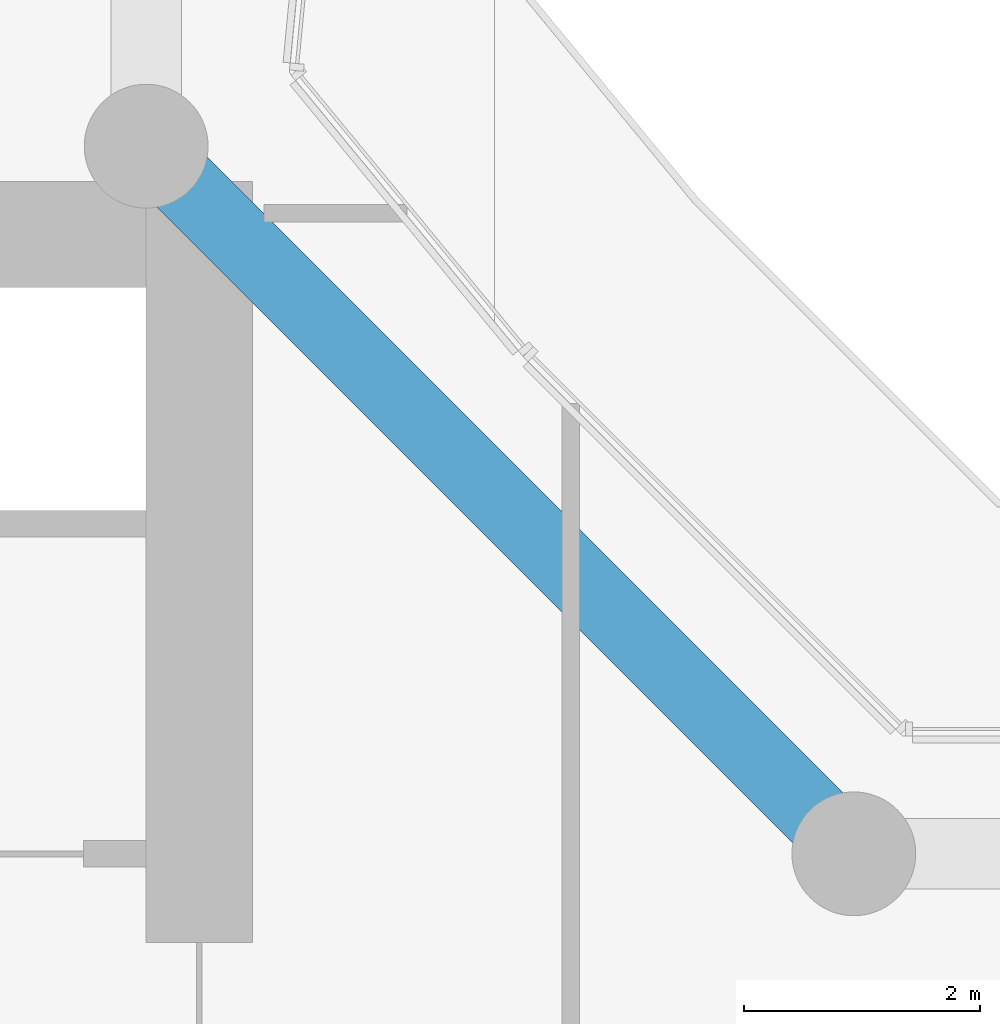
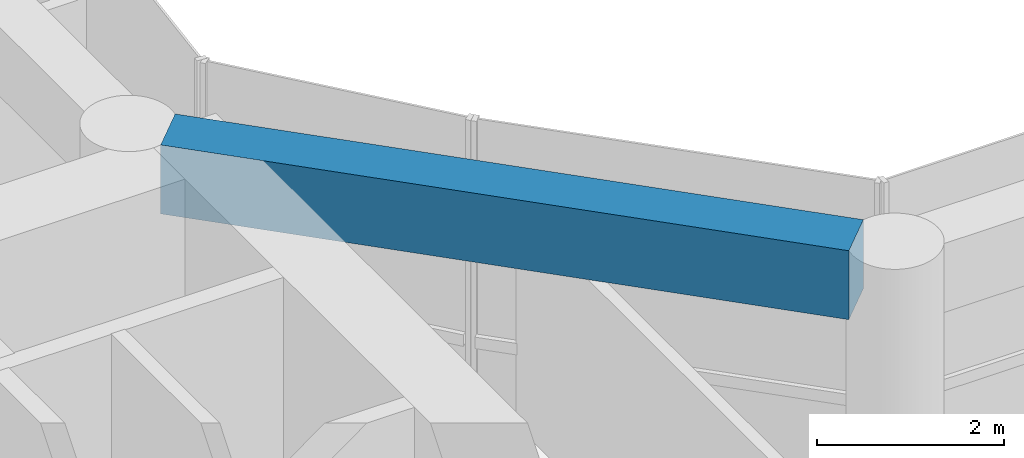
# One storey, part 5 of 31: 1 beam.
"""IFC4 building model written with IfcOpenShell, lengths in metres."""

from ifc_helpers import new_model, si_unit, direction, frame, origin, origin_2d, place, context, subcontext, project, spatial, rectangle, extrude, material, material_profile, profile_set, type_object, element, save


model = new_model("IFC4")

# Units and contexts
model_context = context("Model", 3, precision=1e-05, world=origin(), true_north=direction((0.0, 1.0)))
body_context = subcontext(model_context, "Body", "Model", "MODEL_VIEW")
ifc_project = project(units=[si_unit("LENGTHUNIT", "METRE"), si_unit("AREAUNIT", "SQUARE_METRE"), si_unit("VOLUMEUNIT", "CUBIC_METRE"), si_unit("PLANEANGLEUNIT", "RADIAN"), si_unit("MASSUNIT", "GRAM", prefix="KILO")], contexts=[model_context])

# Site, building, storey
site_placement = place(None, origin())
site = spatial("IfcSite", under=ifc_project, at=site_placement, CompositionType="ELEMENT")
building_placement = place(site_placement, origin())
building = spatial("IfcBuilding", under=site, at=building_placement, Name="Welwitschia Terrace Campus", CompositionType="ELEMENT")
storey_placement = place(building_placement, frame((0.0, 0.0, 29.0)))
storey = spatial("IfcBuildingStorey", under=building, at=storey_placement, Name="L06", CompositionType="ELEMENT", Elevation=29.0)

# Beam
ifc_material = material(Name="Concrete C60/75", Category="concrete")
ifc_material_profile = material_profile(ifc_material, rectangle(XDim=0.60009765625, YDim=0.89990234375, at=origin_2d()))
ifc_profile_set = profile_set([ifc_material_profile], Name="Concrete C60/75")
beam_type = type_object("IfcBeamType", Name="Ring spandrel 600x900", PredefinedType="SPANDREL", material=ifc_profile_set)
beam_placement = place(storey_placement, frame((29.69482421875, 20.30517578125, 3.39990234375), z_axis=(-0.707106781187, 0.707106781187, 0.0), x_axis=(-0.707106781187, -0.707106781187, 0.0)))
element("IfcBeam", 1, at=beam_placement, inside=storey, type_object=beam_type, Name="Spandrel SP2", PredefinedType="SPANDREL", context=body_context, shape_type="SweptSolid", body=[
    extrude(rectangle(XDim=0.60009765625, YDim=0.89990234375, at=origin_2d()), origin(), (0.0, 0.0, 1.0), 7.6220703125),
])

save(model, "model.ifc")
